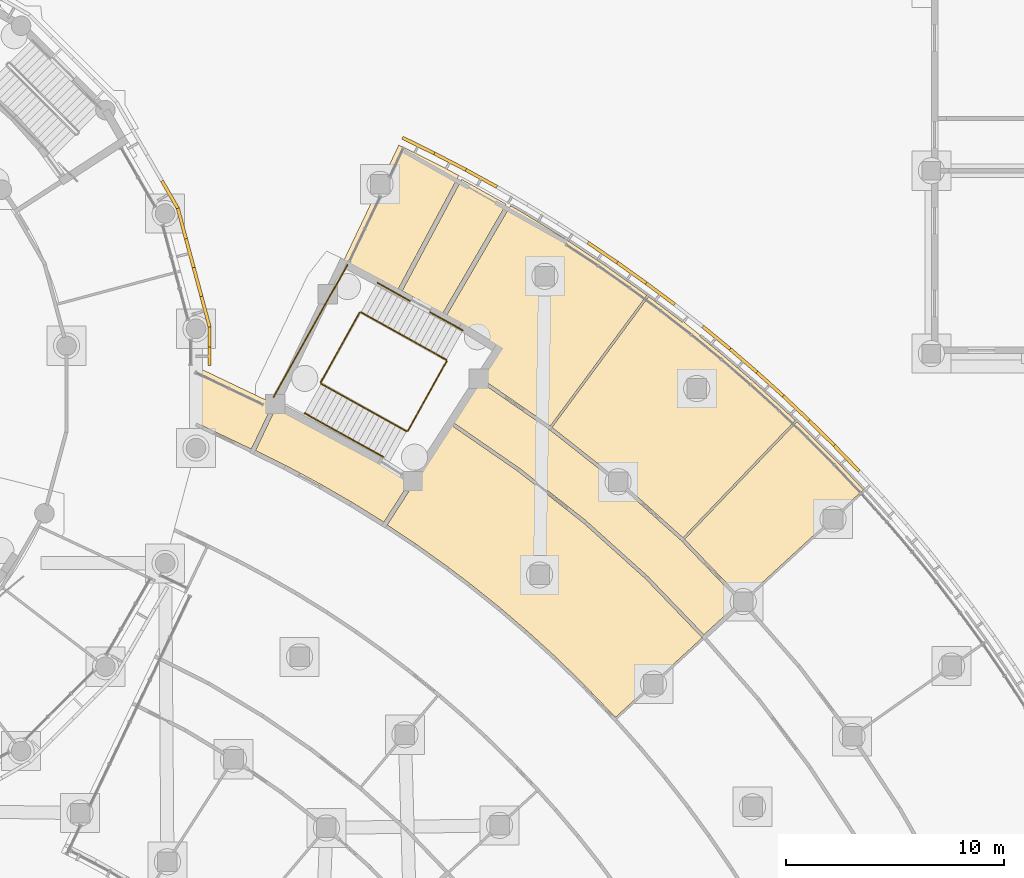
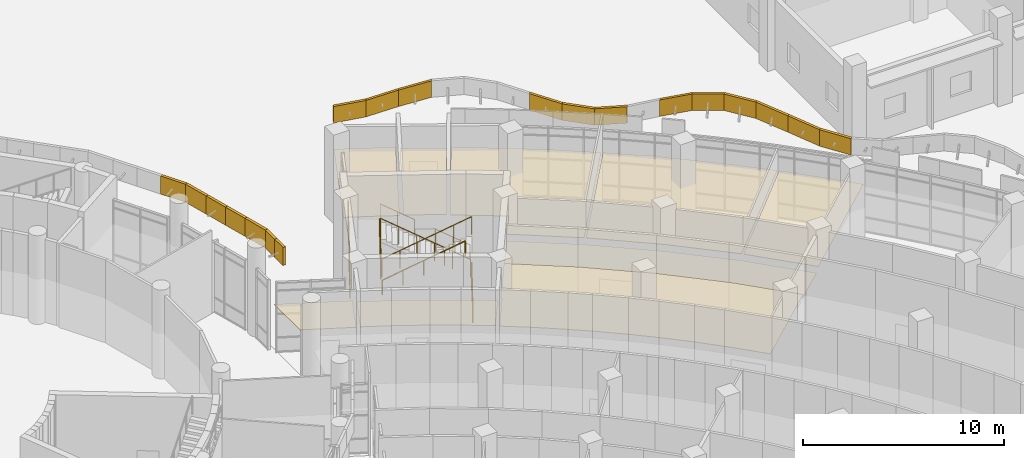
# One storey, part 134 of 146: 28 coverings, 8 railings.
"""IFC4 building model written with IfcOpenShell, lengths in metres."""

from ifc_helpers import new_model, si_unit, direction, frame, origin, origin_2d, place, context, subcontext, project, spatial, polyline, circle, outline, extrude, material, layer, layer_set, type_object, element, save


model = new_model("IFC4")

# Units and contexts
model_context = context("Model", 3, precision=1e-05, world=origin(), true_north=direction((0.0, 1.0)))
body_context = subcontext(model_context, "Body", "Model", "MODEL_VIEW")
ifc_project = project(units=[si_unit("LENGTHUNIT", "METRE"), si_unit("AREAUNIT", "SQUARE_METRE"), si_unit("VOLUMEUNIT", "CUBIC_METRE"), si_unit("PLANEANGLEUNIT", "RADIAN"), si_unit("MASSUNIT", "GRAM", prefix="KILO")], contexts=[model_context])

# Site, building, storey
site_placement = place(None, origin())
site = spatial("IfcSite", under=ifc_project, at=site_placement, CompositionType="ELEMENT")
building_placement = place(site_placement, origin())
building = spatial("IfcBuilding", under=site, at=building_placement, Name="Bougainvillea Quay General Hospital", CompositionType="ELEMENT")
storey_placement = place(building_placement, origin())
storey = spatial("IfcBuildingStorey", under=building, at=storey_placement, Name="L00", CompositionType="ELEMENT", Elevation=0.0)

# Coverings
ifc_material_1 = material(Name="Powder-coated aluminium fascia, white", Category="aluminium")
ifc_layer_1 = layer(ifc_material_1, 0.14990234375)
ifc_layer_set_1 = layer_set([ifc_layer_1], Name="Powder-coated aluminium fascia, white")
covering_type_1 = type_object("IfcCoveringType", Name="Aluminium fascia band white 150x1100", PredefinedType="CLADDING", material=ifc_layer_set_1)
covering_1_placement = place(storey_placement, frame((130.570068359375, 75.06005859375, 4.85009765625), z_axis=(0.0, 0.0, 1.0), x_axis=(0.0, 1.0, 0.0)))
element("IfcCovering", 1, at=covering_1_placement, inside=storey, type_object=covering_type_1, Name="Fascia band white e0 1", PredefinedType="CLADDING", context=body_context, shape_type="SweptSolid", body=[
    extrude(outline(polyline([(0.0, 0.0), (0.84033203125, 0.0), (0.84033203125, -0.14990234375), (0.0, -0.14990234375), (0.0, 0.0)])), origin(), (0.0, 0.0, 1.0), 1.10009765625),
])
covering_2_placement = place(storey_placement, frame((130.570068359375, 75.900390625, 4.85009765625), z_axis=(0.0, 0.0, 1.0), x_axis=(0.0, 1.0, 0.0)))
element("IfcCovering", 2, at=covering_2_placement, inside=storey, type_object=covering_type_1, Name="Fascia band white e0 2", PredefinedType="CLADDING", context=body_context, shape_type="SweptSolid", body=[
    extrude(outline(polyline([(0.0, 0.0), (0.9130859375, 0.0), (0.932861328125, -0.14990234375), (0.0, -0.14990234375), (0.0, 0.0)])), origin(), (0.0, 0.0, 1.0), 1.10009765625),
])
covering_3_placement = place(storey_placement, frame((130.570068359375, 76.8134765625, 4.85009765625), z_axis=(0.0, 0.0, 1.0), x_axis=(-0.258905250026, 0.965902723626, 0.0)))
element("IfcCovering", 3, at=covering_3_placement, inside=storey, type_object=covering_type_1, Name="Fascia band white e0 3", PredefinedType="CLADDING", context=body_context, shape_type="SweptSolid", body=[
    extrude(outline(polyline([(0.0, 0.0), (1.4427484812010494, -1.1102230246251565e-16), (1.4427601315406933, -0.14988922115835282), (-0.019709400122614035, -0.1499110345602391), (0.0, 0.0)])), origin(), (0.0, 0.0, 1.0), 1.10009765625),
])
covering_4_placement = place(storey_placement, frame((130.196533203125, 78.20703125, 4.85009765625), z_axis=(0.0, 0.0, 1.0), x_axis=(-0.258848876884, 0.965917832393, 0.0)))
element("IfcCovering", 4, at=covering_4_placement, inside=storey, type_object=covering_type_1, Name="Fascia band white e0 4", PredefinedType="CLADDING", context=body_context, shape_type="SweptSolid", body=[
    extrude(outline(polyline([(0.0, 0.0), (1.3704379651734342, -5.551115123125783e-17), (1.3704583634542102, -0.1498892202231306), (2.039828077596978e-05, -0.14988922022313056), (0.0, 0.0)])), origin(), (0.0, 0.0, 1.0), 1.10009765625),
])
covering_5_placement = place(storey_placement, frame((129.841796875, 79.53076171875, 4.85009765625), z_axis=(0.0, 0.0, 1.0), x_axis=(-0.258804342537, 0.96592976571, 0.0)))
element("IfcCovering", 5, at=covering_5_placement, inside=storey, type_object=covering_type_1, Name="Fascia band white e0 5", PredefinedType="CLADDING", context=body_context, shape_type="SweptSolid", body=[
    extrude(outline(polyline([(0.0, 0.0), (1.3706737864135623, -5.551115123125783e-17), (1.3707010954037027, -0.14988921912334807), (2.730899014045246e-05, -0.14988921912334804), (0.0, 0.0)])), origin(), (0.0, 0.0, 1.0), 1.10009765625),
])
covering_6_placement = place(storey_placement, frame((129.487060546875, 80.854736328125, 4.85009765625), z_axis=(0.0, 0.0, 1.0), x_axis=(-0.258905250026, 0.965902723626, 0.0)))
element("IfcCovering", 6, at=covering_6_placement, inside=storey, type_object=covering_type_1, Name="Fascia band white e0 6", PredefinedType="CLADDING", context=body_context, shape_type="SweptSolid", body=[
    extrude(outline(polyline([(0.0, 0.0), (1.4427484812010494, -1.1102230246251565e-16), (1.462481182002951, -0.14986740775646643), (1.1650339643856644e-05, -0.14988922115835274), (0.0, 0.0)])), origin(), (0.0, 0.0, 1.0), 1.10009765625),
])
covering_7_placement = place(storey_placement, frame((129.113525390625, 82.248291015625, 4.85009765625), z_axis=(0.0, 0.0, 1.0), x_axis=(-0.49994213401, 0.866058810152, 0.0)))
element("IfcCovering", 7, at=covering_7_placement, inside=storey, type_object=covering_type_1, Name="Fascia band white e0 7", PredefinedType="CLADDING", context=body_context, shape_type="SweptSolid", body=[
    extrude(outline(polyline([(0.0, 0.0), (1.4430380994058942, 0.0), (1.443016331686934, -0.14995740286665526), (-0.019704824865206458, -0.14987107548026693), (0.0, 0.0)])), origin(), (0.0, 0.0, 1.0), 1.10009765625),
])
ifc_material_2 = material(Name="Powder-coated aluminium fascia, red", Category="aluminium")
ifc_layer_2 = layer(ifc_material_2, 0.14990234375)
ifc_layer_set_2 = layer_set([ifc_layer_2], Name="Powder-coated aluminium fascia, red")
covering_type_2 = type_object("IfcCoveringType", Name="Aluminium wave fascia ribbon red 150x1000", PredefinedType="CLADDING", material=ifc_layer_set_2)
covering_8_placement = place(storey_placement, frame((160.424072265625, 70.148193359375, 4.10009765625), z_axis=(0.096749674924, -0.100610577445, 0.990210589778), x_axis=(-0.686495322117, 0.713611368708, 0.139581471412)))
element("IfcCovering", 8, at=covering_8_placement, inside=storey, type_object=covering_type_2, Name="Fascia ribbon red a23 29", PredefinedType="CLADDING", context=body_context, shape_type="SweptSolid", body=[
    extrude(outline(polyline([(0.0, 0.0), (1.647649151645026, 1.700638870179294e-16), (1.649363294784001, -0.15001377672621402), (-0.001772241102011192, -0.15008063244490716), (0.0, 0.0)])), origin(), (0.139581471412, -2.7022827e-05, 0.990210589778), 1.0),
])
covering_9_placement = place(storey_placement, frame((159.29296875, 71.323974609375, 4.33056640625), z_axis=(0.22979076027, -0.227124347785, 0.946367125981), x_axis=(-0.671797943468, 0.666557278033, 0.323092739401)))
element("IfcCovering", 9, at=covering_9_placement, inside=storey, type_object=covering_type_2, Name="Fascia ribbon red a23 30", PredefinedType="CLADDING", context=body_context, shape_type="SweptSolid", body=[
    extrude(outline(polyline([(0.0, 0.0), (1.7236647301916164, 1.4647571350279165e-16), (1.7253904199589754, -0.15002615834622235), (-0.0019361793517849231, -0.15001266328998375), (0.0, 0.0)])), origin(), (0.323092739401, 0.00058703393, 0.946367125981), 1.0),
])
covering_10_placement = place(storey_placement, frame((158.135009765625, 72.472900390625, 4.887939453125), z_axis=(0.236693133956, -0.225281170266, 0.945105684388), x_axis=(-0.686083609851, 0.650011182194, 0.326764048385)))
element("IfcCovering", 10, at=covering_10_placement, inside=storey, type_object=covering_type_2, Name="Fascia ribbon red a23 31", PredefinedType="CLADDING", context=body_context, shape_type="SweptSolid", body=[
    extrude(outline(polyline([(0.0, 0.0), (1.725862266046583, 1.328147661294743e-16), (1.7278247831381, -0.14994972871071416), (-0.0018658158606860503, -0.15002448154715348), (0.0, 0.0)])), origin(), (0.326764048385, -0.000708534708, 0.945105684388), 1.0),
])
covering_11_placement = place(storey_placement, frame((156.950927734375, 73.5947265625, 5.452392578125), z_axis=(0.111099799744, -0.100379643628, 0.988726838739), x_axis=(-0.733463702371, 0.663032246867, 0.149730547717)))
element("IfcCovering", 11, at=covering_11_placement, inside=storey, type_object=covering_type_2, Name="Fascia ribbon red a23 32", PredefinedType="CLADDING", context=body_context, shape_type="SweptSolid", body=[
    extrude(outline(polyline([(0.0, 0.0), (1.649988863562159, -4.775910569798647e-17), (1.6517681285739856, -0.15012522124646155), (-0.0017032595457434298, -0.14995130762283748), (0.0, 0.0)])), origin(), (0.149730547717, 3.7924792e-05, 0.988726838739), 1.0),
])
covering_12_placement = place(storey_placement, frame((155.74072265625, 74.688720703125, 5.699462890625), z_axis=(-0.097458843148, 0.084059560739, 0.991683298307), x_axis=(-0.750768986926, 0.647905620923, -0.128702115938)))
element("IfcCovering", 12, at=covering_12_placement, inside=storey, type_object=covering_type_2, Name="Fascia ribbon red a23 33", PredefinedType="CLADDING", context=body_context, shape_type="SweptSolid", body=[
    extrude(outline(polyline([(0.0, 0.0), (1.644795484794288, 3.3166422082689384e-17), (1.6465874342881592, -0.15003491650491782), (-0.001710739391960659, -0.15012601750891508), (0.0, 0.0)])), origin(), (-0.128702115938, -3.4821027e-05, 0.991683298307), 1.0),
])
covering_13_placement = place(storey_placement, frame((154.505859375, 75.75439453125, 5.4873046875), z_axis=(-0.246260841474, 0.202665666166, 0.947777519101), x_axis=(-0.731728653526, 0.602374804713, -0.318932237719)))
element("IfcCovering", 13, at=covering_13_placement, inside=storey, type_object=covering_type_2, Name="Fascia ribbon red a23 34", PredefinedType="CLADDING", context=body_context, shape_type="SweptSolid", body=[
    extrude(outline(polyline([(0.0, 0.0), (1.721248434948116, 6.938893903907228e-17), (1.7231475552028133, -0.15002519028616373), (-0.001856734690984584, -0.15003565291845633), (0.0, 0.0)])), origin(), (-0.318932237719, -4.5051272e-05, 0.947777519101), 1.0),
])
covering_14_placement = place(storey_placement, frame((151.963134765625, 77.798583984375, 4.36669921875), z_axis=(-0.128289929843, 0.096054311663, 0.987074092007), x_axis=(-0.790403254327, 0.591251184836, -0.160264568695)))
element("IfcCovering", 14, at=covering_14_placement, inside=storey, type_object=covering_type_2, Name="Fascia ribbon red a23 36", PredefinedType="CLADDING", context=body_context, shape_type="SweptSolid", body=[
    extrude(outline(polyline([(0.0, 0.0), (1.6525223899898145, 1.8586274555011661e-16), (1.6543033651317054, -0.14990467750634673), (-0.001912049480384562, -0.14990008074664551), (0.0, 0.0)])), origin(), (-0.160264568695, 7.0067508e-05, 0.987074092007), 1.0),
])
covering_15_placement = place(storey_placement, frame((150.656982421875, 78.775634765625, 4.101806640625), z_axis=(0.095736006654, -0.068259772744, 0.99306355308), x_axis=(-0.808731186551, 0.576306419613, 0.117578818726)))
element("IfcCovering", 15, at=covering_15_placement, inside=storey, type_object=covering_type_2, Name="Fascia ribbon red a23 37", PredefinedType="CLADDING", context=body_context, shape_type="SweptSolid", body=[
    extrude(outline(polyline([(0.0, 0.0), (1.6428311176955228, 1.0505749644795087e-16), (1.6444696352308283, -0.1499375133913508), (-0.0017163779838386484, -0.14990543278708052), (0.0, 0.0)])), origin(), (0.117578818726, -3.0531782e-05, 0.99306355308), 1.0),
])
covering_16_placement = place(storey_placement, frame((149.328369140625, 79.722412109375, 4.29541015625), z_axis=(0.259678832211, -0.17729101912, 0.949281201036), x_axis=(-0.785672583548, 0.532779762855, 0.3144269641)))
element("IfcCovering", 16, at=covering_16_placement, inside=storey, type_object=covering_type_2, Name="Fascia ribbon red a23 38", PredefinedType="CLADDING", context=body_context, shape_type="SweptSolid", body=[
    extrude(outline(polyline([(0.0, 0.0), (1.7183887620312808, 1.474514954580286e-17), (1.7201913776687094, -0.14990701028174755), (-0.0019235669616717774, -0.14993472889118858), (0.0, 0.0)])), origin(), (0.3144269641, -0.000941066389, 0.949281201036), 1.0),
])
covering_17_placement = place(storey_placement, frame((143.8056640625, 83.193115234375, 5.521240234375), z_axis=(-0.271270721509, 0.149249318897, 0.950861102612), x_axis=(-0.833021386149, 0.458489049889, -0.30961776653)))
element("IfcCovering", 17, at=covering_17_placement, inside=storey, type_object=covering_type_2, Name="Fascia ribbon red a23 42", PredefinedType="CLADDING", context=body_context, shape_type="SweptSolid", body=[
    extrude(outline(polyline([(0.0, 0.0), (1.7156951106507, 3.2959746043559335e-17), (1.7174249957922154, -0.1498503980033198), (-0.0016845831200170943, -0.14997973287708716), (0.0, 0.0)])), origin(), (-0.30961776653, -4.6780858e-05, 0.950861102612), 1.0),
])
covering_18_placement = place(storey_placement, frame((142.37646484375, 83.979736328125, 4.9892578125), z_axis=(-0.298390447414, 0.155217783196, 0.941738063727), x_axis=(-0.835412724349, 0.434690880987, -0.336347168833)))
element("IfcCovering", 18, at=covering_18_placement, inside=storey, type_object=covering_type_2, Name="Fascia ribbon red a23 43", PredefinedType="CLADDING", context=body_context, shape_type="SweptSolid", body=[
    extrude(outline(polyline([(0.0, 0.0), (1.7320806247602372, -6.984972496237862e-17), (1.734093566782611, -0.15011590407266295), (-0.001980216053171839, -0.149848285508107), (0.0, 0.0)])), origin(), (-0.336347168833, -3.6695337e-05, 0.941738063727), 1.0),
])
covering_19_placement = place(storey_placement, frame((140.929443359375, 84.732666015625, 4.40625), z_axis=(-0.162339825177, 0.079980669165, 0.983488115699), x_axis=(-0.882646962961, 0.433800924294, -0.180972641183)))
element("IfcCovering", 19, at=covering_19_placement, inside=storey, type_object=covering_type_2, Name="Fascia ribbon red a23 44", PredefinedType="CLADDING", context=body_context, shape_type="SweptSolid", body=[
    extrude(outline(polyline([(0.0, 0.0), (1.6551809998635254, 1.5571853702323057e-17), (1.6551387592198992, -0.14991148172692179), (-0.001591180162068193, -0.1501193916244182), (0.0, 0.0)])), origin(), (-0.180972641183, 0.000171528522, 0.983488115699), 1.0),
])

# Railings
ifc_material_3 = material(Name="Stainless steel 304 balustrade", Category="steel")
railing_type_1 = type_object("IfcRailingType", Name="Stair guard 1100", PredefinedType="GUARDRAIL", material=ifc_material_3)
railing_1_placement = place(storey_placement, frame((141.514404296875, 75.31591796875, 0.158935546875)))
element("IfcRailing", 20, at=railing_1_placement, inside=storey, type_object=railing_type_1, Name="L00 ST-E1 stair guard 1", PredefinedType="GUARDRAIL", context=body_context, shape_type="SweptSolid", body=[
    extrude(circle(Radius=0.02392578125, at=origin_2d()), frame((0.0, 0.0, 1.076171875), z_axis=(-0.759629851315, 0.423733618777, 0.493368330265), x_axis=(-0.487150650055, -0.873317951351, 0.0)), (0.0, 0.0, 1.0), 5.150390625),
    extrude(circle(Radius=0.02099609375, at=origin_2d()), origin(), (0.0, 0.0, 1.0), 1.052001953125),
    extrude(circle(Radius=0.02099609375, at=origin_2d()), frame((-0.782470703125, 0.4365234375, 0.50830078125)), (0.0, 0.0, 1.0), 1.052001953125),
    extrude(circle(Radius=0.02099609375, at=origin_2d()), frame((-1.56494140625, 0.873046875, 1.016357421875)), (0.0, 0.0, 1.0), 1.052001953125),
    extrude(circle(Radius=0.02099609375, at=origin_2d()), frame((-2.347412109375, 1.309326171875, 1.524658203125)), (0.0, 0.0, 1.0), 1.052001953125),
    extrude(circle(Radius=0.02099609375, at=origin_2d()), frame((-3.1298828125, 1.745849609375, 2.03271484375)), (0.0, 0.0, 1.0), 1.052001953125),
    extrude(circle(Radius=0.02099609375, at=origin_2d()), frame((-3.912353515625, 2.182373046875, 2.541015625)), (0.0, 0.0, 1.0), 1.052001953125),
])
railing_2_placement = place(storey_placement, frame((137.533935546875, 77.47900390625, 2.699951171875)))
element("IfcRailing", 21, at=railing_2_placement, inside=storey, type_object=railing_type_1, Name="L00 ST-E1 stair guard 2", PredefinedType="GUARDRAIL", context=body_context, shape_type="SweptSolid", body=[
    extrude(circle(Radius=0.02392578125, at=origin_2d()), frame((0.0, 0.0, 1.076171875), z_axis=(-0.487183857125, -0.873299427091, 0.0), x_axis=(0.873299427091, -0.487183857125, 0.0)), (0.0, 0.0, 1.0), 3.6572265625),
    extrude(circle(Radius=0.02099609375, at=origin_2d()), origin(), (0.0, 0.0, 1.0), 1.052001953125),
    extrude(circle(Radius=0.02099609375, at=origin_2d()), frame((-0.4453125, -0.79833984375, 0.0)), (0.0, 0.0, 1.0), 1.052001953125),
    extrude(circle(Radius=0.02099609375, at=origin_2d()), frame((-0.890869140625, -1.596923828125, 0.0)), (0.0, 0.0, 1.0), 1.052001953125),
    extrude(circle(Radius=0.02099609375, at=origin_2d()), frame((-1.33642578125, -2.3955078125, 0.0)), (0.0, 0.0, 1.0), 1.052001953125),
    extrude(circle(Radius=0.02099609375, at=origin_2d()), frame((-1.78173828125, -3.19384765625, 0.0)), (0.0, 0.0, 1.0), 1.052001953125),
])
railing_3_placement = place(storey_placement, frame((136.9755859375, 79.679931640625, 2.699951171875)))
element("IfcRailing", 22, at=railing_3_placement, inside=storey, type_object=railing_type_1, Name="L00 ST-E1 stair guard 3", PredefinedType="GUARDRAIL", context=body_context, shape_type="SweptSolid", body=[
    extrude(circle(Radius=0.02392578125, at=origin_2d()), frame((0.0, 0.0, 1.076171875), z_axis=(-0.487209347001, -0.873285206674, 0.0), x_axis=(0.873285206674, -0.487209347001, 0.0)), (0.0, 0.0, 1.0), 6.957275390625),
    extrude(circle(Radius=0.02099609375, at=origin_2d()), origin(), (0.0, 0.0, 1.0), 1.052001953125),
    extrude(circle(Radius=0.02099609375, at=origin_2d()), frame((-0.56494140625, -1.0126953125, 0.0)), (0.0, 0.0, 1.0), 1.052001953125),
    extrude(circle(Radius=0.02099609375, at=origin_2d()), frame((-1.1298828125, -2.025146484375, 0.0)), (0.0, 0.0, 1.0), 1.052001953125),
    extrude(circle(Radius=0.02099609375, at=origin_2d()), frame((-1.69482421875, -3.037841796875, 0.0)), (0.0, 0.0, 1.0), 1.052001953125),
    extrude(circle(Radius=0.02099609375, at=origin_2d()), frame((-2.259765625, -4.050537109375, 0.0)), (0.0, 0.0, 1.0), 1.052001953125),
    extrude(circle(Radius=0.02099609375, at=origin_2d()), frame((-2.82470703125, -5.06298828125, 0.0)), (0.0, 0.0, 1.0), 1.052001953125),
    extrude(circle(Radius=0.02099609375, at=origin_2d()), frame((-3.3896484375, -6.07568359375, 0.0)), (0.0, 0.0, 1.0), 1.052001953125),
])
railing_4_placement = place(storey_placement, frame((135.771484375, 74.217041015625, 2.85888671875)))
element("IfcRailing", 23, at=railing_4_placement, inside=storey, type_object=railing_type_1, Name="L00 ST-E1 stair guard 4", PredefinedType="GUARDRAIL", context=body_context, shape_type="SweptSolid", body=[
    extrude(circle(Radius=0.02392578125, at=origin_2d()), frame((0.0, 0.0, 1.076171875), z_axis=(0.759629851315, -0.423733618777, 0.493368330265), x_axis=(0.487150650055, 0.873317951351, 0.0)), (0.0, 0.0, 1.0), 5.150390625),
    extrude(circle(Radius=0.02099609375, at=origin_2d()), origin(), (0.0, 0.0, 1.0), 1.052001953125),
    extrude(circle(Radius=0.02099609375, at=origin_2d()), frame((0.782470703125, -0.4365234375, 0.50830078125)), (0.0, 0.0, 1.0), 1.052001953125),
    extrude(circle(Radius=0.02099609375, at=origin_2d()), frame((1.56494140625, -0.873046875, 1.016357421875)), (0.0, 0.0, 1.0), 1.052001953125),
    extrude(circle(Radius=0.02099609375, at=origin_2d()), frame((2.347412109375, -1.309326171875, 1.524658203125)), (0.0, 0.0, 1.0), 1.052001953125),
    extrude(circle(Radius=0.02099609375, at=origin_2d()), frame((3.1298828125, -1.745849609375, 2.03271484375)), (0.0, 0.0, 1.0), 1.052001953125),
    extrude(circle(Radius=0.02099609375, at=origin_2d()), frame((3.912353515625, -2.182373046875, 2.541015625)), (0.0, 0.0, 1.0), 1.052001953125),
])
railing_5_placement = place(storey_placement, frame((141.53369140625, 75.247802734375, 0.0)))
element("IfcRailing", 24, at=railing_5_placement, inside=storey, type_object=railing_type_1, Name="L00 ST-E1 stair guard 5", PredefinedType="GUARDRAIL", context=body_context, shape_type="SweptSolid", body=[
    extrude(circle(Radius=0.02392578125, at=origin_2d()), frame((0.0, 0.0, 1.076171875), z_axis=(-0.487183857125, -0.873299427091, 0.0), x_axis=(0.873299427091, -0.487183857125, 0.0)), (0.0, 0.0, 1.0), 3.6572265625),
    extrude(circle(Radius=0.02099609375, at=origin_2d()), origin(), (0.0, 0.0, 1.0), 1.052001953125),
    extrude(circle(Radius=0.02099609375, at=origin_2d()), frame((-0.4453125, -0.79833984375, 0.0)), (0.0, 0.0, 1.0), 1.052001953125),
    extrude(circle(Radius=0.02099609375, at=origin_2d()), frame((-0.890869140625, -1.596923828125, 0.0)), (0.0, 0.0, 1.0), 1.052001953125),
    extrude(circle(Radius=0.02099609375, at=origin_2d()), frame((-1.33642578125, -2.3955078125, 0.0)), (0.0, 0.0, 1.0), 1.052001953125),
    extrude(circle(Radius=0.02099609375, at=origin_2d()), frame((-1.78173828125, -3.19384765625, 0.0)), (0.0, 0.0, 1.0), 1.052001953125),
])
ifc_material_4 = material(Name="Stainless steel 304 handrail", Category="steel")
railing_type_2 = type_object("IfcRailingType", Name="Stair handrail 900", PredefinedType="HANDRAIL", material=ifc_material_4)
railing_6_placement = place(storey_placement, frame((142.26953125, 76.66943359375, 0.158935546875)))
element("IfcRailing", 25, at=railing_6_placement, inside=storey, type_object=railing_type_2, Name="L00 ST-E1 stair handrail 1", PredefinedType="HANDRAIL", context=body_context, shape_type="SweptSolid", body=[
    extrude(circle(Radius=0.02392578125, at=origin_2d()), frame((0.0, 0.0, 0.8759765625), z_axis=(-0.759619275193, 0.423774540953, 0.493349465587), x_axis=(-0.487191703662, -0.87329504973, 0.0)), (0.0, 0.0, 1.0), 1.968505859375),
    extrude(circle(Radius=0.02099609375, at=origin_2d()), origin(), (0.0, 0.0, 1.0), 0.851806640625),
    extrude(circle(Radius=0.02099609375, at=origin_2d()), frame((-0.74755859375, 0.4169921875, 0.485595703125)), (0.0, 0.0, 1.0), 0.851806640625),
    extrude(circle(Radius=0.02099609375, at=origin_2d()), frame((-1.495361328125, 0.834228515625, 0.97119140625)), (0.0, 0.0, 1.0), 0.851806640625),
])
railing_7_placement = place(storey_placement, frame((139.848388671875, 78.020263671875, 1.7314453125)))
element("IfcRailing", 26, at=railing_7_placement, inside=storey, type_object=railing_type_2, Name="L00 ST-E1 stair handrail 1", PredefinedType="HANDRAIL", context=body_context, shape_type="SweptSolid", body=[
    extrude(circle(Radius=0.02392578125, at=origin_2d()), frame((0.0, 0.0, 0.8759765625), z_axis=(-0.759638025148, 0.423720817236, 0.493366739647), x_axis=(-0.487135427329, -0.873326442655, 0.0)), (0.0, 0.0, 1.0), 1.963134765625),
    extrude(circle(Radius=0.02099609375, at=origin_2d()), origin(), (0.0, 0.0, 1.0), 0.851806640625),
    extrude(circle(Radius=0.02099609375, at=origin_2d()), frame((-0.74560546875, 0.416015625, 0.484375)), (0.0, 0.0, 1.0), 0.851806640625),
    extrude(circle(Radius=0.02099609375, at=origin_2d()), frame((-1.4912109375, 0.831787109375, 0.968505859375)), (0.0, 0.0, 1.0), 0.851806640625),
])
railing_8_placement = place(storey_placement, frame((135.016357421875, 72.863525390625, 2.85888671875)))
element("IfcRailing", 27, at=railing_8_placement, inside=storey, type_object=railing_type_2, Name="L00 ST-E1 stair handrail 2", PredefinedType="HANDRAIL", context=body_context, shape_type="SweptSolid", body=[
    extrude(circle(Radius=0.02392578125, at=origin_2d()), frame((0.0, 0.0, 0.8759765625), z_axis=(0.75959738888, -0.423773763078, 0.49338383084), x_axis=(0.487201727127, 0.873289457789, 0.0)), (0.0, 0.0, 1.0), 4.75244140625),
    extrude(circle(Radius=0.02099609375, at=origin_2d()), origin(), (0.0, 0.0, 1.0), 0.851806640625),
    extrude(circle(Radius=0.02099609375, at=origin_2d()), frame((0.90234375, -0.50341796875, 0.586181640625)), (0.0, 0.0, 1.0), 0.851806640625),
    extrude(circle(Radius=0.02099609375, at=origin_2d()), frame((1.804931640625, -1.0068359375, 1.17236328125)), (0.0, 0.0, 1.0), 0.851806640625),
    extrude(circle(Radius=0.02099609375, at=origin_2d()), frame((2.70751953125, -1.510498046875, 1.758544921875)), (0.0, 0.0, 1.0), 0.851806640625),
    extrude(circle(Radius=0.02099609375, at=origin_2d()), frame((3.60986328125, -2.013916015625, 2.3447265625)), (0.0, 0.0, 1.0), 0.851806640625),
])

# Coverings
ifc_material_5 = material(Name="Mineral fibre ceiling tile")
ifc_layer_3 = layer(ifc_material_5, 0.030029296875)
ifc_layer_set_3 = layer_set([ifc_layer_3], Name="Mineral fibre ceiling tile")
covering_type_3 = type_object("IfcCoveringType", Name="Suspended ceiling mineral fibre tile", PredefinedType="CEILING", material=ifc_layer_set_3)
covering_20_placement = place(storey_placement, frame((0.0, 0.0, 2.699951171875)))
element("IfcCovering", 28, at=covering_20_placement, inside=storey, type_object=covering_type_3, Name="Ceiling Smoke-proof Vestibule ST-E1", PredefinedType="CEILING", context=body_context, shape_type="SweptSolid", body=[
    extrude(outline(polyline([(134.30810546875, 70.3740234375), (134.306640625, 70.371337890625), (135.6650390625, 69.640869140625), (135.66650390625, 69.6435546875), (135.751708984375, 69.59423828125), (135.83837890625, 69.547607421875), (135.8369140625, 69.544921875), (137.171142578125, 68.77294921875), (137.1728515625, 68.775634765625), (137.25634765625, 68.723876953125), (137.341552734375, 68.674560546875), (137.340087890625, 68.671630859375), (138.648193359375, 67.85791015625), (139.83984375, 69.706787109375), (138.3896484375, 70.609130859375), (136.8232421875, 71.515625), (135.22998046875, 72.3720703125), (133.699462890625, 73.13232421875), (132.752685546875, 71.146728515625), (134.1318359375, 70.461669921875), (134.13330078125, 70.46435546875), (134.219970703125, 70.417724609375), (134.30810546875, 70.3740234375)])), origin(), (0.0, 0.0, 1.0), 0.030029296875),
])
covering_21_placement = place(storey_placement, frame((0.0, 0.0, 2.699951171875)))
element("IfcCovering", 29, at=covering_21_placement, inside=storey, type_object=covering_type_3, Name="Ceiling Stair Exit Passage ST-E1", PredefinedType="CEILING", context=body_context, shape_type="SweptSolid", body=[
    extrude(outline(polyline([(144.2685546875, 82.46484375), (142.228759765625, 83.602783203125), (142.226806640625, 83.598876953125), (142.224365234375, 83.60009765625), (139.493408203125, 78.488525390625), (141.35400390625, 77.4501953125), (144.268798828125, 82.45947265625), (144.26611328125, 82.461181640625), (144.2685546875, 82.46484375)])), origin(), (0.0, 0.0, 1.0), 0.030029296875),
])
covering_22_placement = place(storey_placement, frame((0.0, 0.0, 2.699951171875)))
element("IfcCovering", 30, at=covering_22_placement, inside=storey, type_object=covering_type_3, Name="Ceiling Quay Entrance Lobby and Concierge", PredefinedType="CEILING", context=body_context, shape_type="SweptSolid", body=[
    extrude(outline(polyline([(136.741943359375, 79.74267578125), (136.775146484375, 79.809814453125), (138.559814453125, 78.92333984375), (138.560546875, 78.9248046875), (138.64794921875, 78.879638671875), (138.647216796875, 78.878173828125), (139.29052734375, 78.53271484375), (142.0517578125, 83.701416015625), (142.050048828125, 83.702392578125), (142.093505859375, 83.780517578125), (141.305908203125, 84.201904296875), (139.3359375, 85.180908203125), (136.741943359375, 79.74267578125)])), origin(), (0.0, 0.0, 1.0), 0.030029296875),
])
covering_23_placement = place(storey_placement, frame((0.0, 0.0, 2.39990234375)))
element("IfcCovering", 31, at=covering_23_placement, inside=storey, type_object=covering_type_3, Name="Ceiling Clinic Corridor 00E2", PredefinedType="CEILING", context=body_context, shape_type="SweptSolid", body=[
    extrude(outline(polyline([(144.8466796875, 70.352783203125), (144.849609375, 70.3564453125), (144.906494140625, 70.311279296875), (144.96630859375, 70.27001953125), (144.963623046875, 70.266357421875), (147.858154296875, 67.9814453125), (147.861328125, 67.98486328125), (147.915283203125, 67.936279296875), (147.972412109375, 67.891357421875), (147.969482421875, 67.8876953125), (150.711181640625, 65.42236328125), (150.715087890625, 65.426025390625), (150.76513671875, 65.3740234375), (150.81884765625, 65.32568359375), (150.8154296875, 65.32177734375), (153.352783203125, 62.684814453125), (155.00830078125, 64.206298828125), (152.32177734375, 66.9990234375), (149.36474609375, 69.65673828125), (146.244384765625, 72.12060546875), (143.014404296875, 74.3525390625), (141.794921875, 72.461669921875), (144.8466796875, 70.352783203125)])), origin(), (0.0, 0.0, 1.0), 0.030029296875),
])
covering_24_placement = place(storey_placement, frame((0.0, 0.0, 2.699951171875)))
element("IfcCovering", 32, at=covering_24_placement, inside=storey, type_object=covering_type_3, Name="Ceiling Quay Entrance Lobby Waiting Hall 00E201", PredefinedType="CEILING", context=body_context, shape_type="SweptSolid", body=[
    extrude(outline(polyline([(140.1044921875, 66.861572265625), (140.16455078125, 66.818603515625), (140.22607421875, 66.777587890625), (140.224853515625, 66.77587890625), (141.518310546875, 65.851318359375), (141.51953125, 65.85302734375), (141.578369140625, 65.808349609375), (141.638671875, 65.765380859375), (141.637451171875, 65.763671875), (142.611328125, 65.02490234375), (142.612548828125, 65.0263671875), (142.670166015625, 64.980224609375), (142.72900390625, 64.935302734375), (142.727783203125, 64.933837890625), (143.92626953125, 63.969970703125), (143.927734375, 63.9716796875), (143.98388671875, 63.923828125), (144.04150390625, 63.87744140625), (144.0400390625, 63.875732421875), (145.20751953125, 62.876220703125), (145.208984375, 62.8779296875), (145.263671875, 62.828125), (145.31982421875, 62.7802734375), (145.318359375, 62.778564453125), (146.454833984375, 61.742431640625), (146.456298828125, 61.744140625), (146.50927734375, 61.692626953125), (146.56396484375, 61.642822265625), (146.5625, 61.641357421875), (147.667236328125, 60.571044921875), (147.669189453125, 60.572998046875), (147.72021484375, 60.52001953125), (147.77294921875, 60.46875), (147.771240234375, 60.466796875), (149.271240234375, 58.901123046875), (149.273193359375, 58.90283203125), (149.2890625, 58.885009765625), (153.277099609375, 62.54736328125), (150.660888671875, 65.26611328125), (147.818603515625, 67.821533203125), (144.8173828125, 70.190673828125), (141.71337890625, 72.33544921875), (140.07568359375, 69.795654296875), (140.11669921875, 69.77001953125), (140.115966796875, 69.768798828125), (140.1171875, 69.767822265625), (140.010986328125, 69.600341796875), (140.009765625, 69.60107421875), (138.802734375, 67.728515625), (140.103271484375, 66.859619140625), (140.1044921875, 66.861572265625)])), origin(), (0.0, 0.0, 1.0), 0.030029296875),
])
covering_25_placement = place(storey_placement, frame((0.0, 0.0, 2.699951171875)))
element("IfcCovering", 33, at=covering_25_placement, inside=storey, type_object=covering_type_3, Name="Ceiling Records Room 00E211", PredefinedType="CEILING", context=body_context, shape_type="SweptSolid", body=[
    extrude(outline(polyline([(144.447509765625, 82.364990234375), (144.44580078125, 82.365966796875), (141.49853515625, 77.301025390625), (142.130126953125, 76.935546875), (142.130859375, 76.936767578125), (142.21533203125, 76.88623046875), (142.214599609375, 76.884765625), (143.949951171875, 75.804931640625), (143.89697265625, 75.72021484375), (143.095947265625, 74.478515625), (146.273681640625, 72.28271484375), (146.276611328125, 72.286376953125), (146.29443359375, 72.2724609375), (150.732666015625, 78.27783203125), (148.822509765625, 79.642822265625), (146.991943359375, 80.85986328125), (145.124267578125, 82.01904296875), (144.466552734375, 82.399169921875), (144.447509765625, 82.364990234375)])), origin(), (0.0, 0.0, 1.0), 0.030029296875),
])
covering_26_placement = place(storey_placement, frame((0.0, 0.0, 2.699951171875)))
element("IfcCovering", 34, at=covering_26_placement, inside=storey, type_object=covering_type_3, Name="Ceiling Interview Room 00E212", PredefinedType="CEILING", context=body_context, shape_type="SweptSolid", body=[
    extrude(outline(polyline([(152.39697265625, 77.077880859375), (152.36669921875, 77.0380859375), (150.81298828125, 78.218505859375), (146.374755859375, 72.212890625), (146.393310546875, 72.199951171875), (146.390625, 72.1962890625), (149.404296875, 69.81640625), (149.4072265625, 69.81982421875), (149.46142578125, 69.771484375), (149.518310546875, 69.726318359375), (149.515380859375, 69.72265625), (152.372314453125, 67.155517578125), (152.3759765625, 67.158935546875), (152.391357421875, 67.143310546875), (157.5556640625, 72.532958984375), (155.737548828125, 74.2177734375), (154.07373046875, 75.65478515625), (153.161376953125, 76.399169921875), (153.193115234375, 76.43798828125), (152.39697265625, 77.077880859375)])), origin(), (0.0, 0.0, 1.0), 0.030029296875),
])
covering_27_placement = place(storey_placement, frame((0.0, 0.0, 2.699951171875)))
element("IfcCovering", 35, at=covering_27_placement, inside=storey, type_object=covering_type_3, Name="Ceiling Interview Room 00E213", PredefinedType="CEILING", context=body_context, shape_type="SweptSolid", body=[
    extrude(outline(polyline([(155.12353515625, 64.3095703125), (155.1552734375, 64.2734375), (160.679931640625, 69.3466796875), (159.652099609375, 70.441162109375), (157.627685546875, 72.463623046875), (152.463134765625, 67.07373046875), (152.47998046875, 67.05859375), (152.476318359375, 67.0546875), (155.118896484375, 64.307861328125), (155.12060546875, 64.309326171875), (155.121826171875, 64.30810546875), (155.12353515625, 64.3095703125)])), origin(), (0.0, 0.0, 1.0), 0.030029296875),
])
covering_28_placement = place(storey_placement, frame((0.0, 0.0, 2.699951171875)))
element("IfcCovering", 36, at=covering_28_placement, inside=storey, type_object=covering_type_3, Name="Ceiling East Arm Entrance Portal Lounge", PredefinedType="CEILING", context=body_context, shape_type="SweptSolid", body=[
    extrude(outline(polyline([(130.02001953125, 72.341064453125), (130.05224609375, 72.40869140625), (132.56201171875, 71.211669921875), (133.520263671875, 73.22119140625), (133.51904296875, 73.221923828125), (133.562744140625, 73.31005859375), (130.02001953125, 75.0), (130.02001953125, 72.341064453125)])), origin(), (0.0, 0.0, 1.0), 0.030029296875),
])

save(model, "model.ifc")
